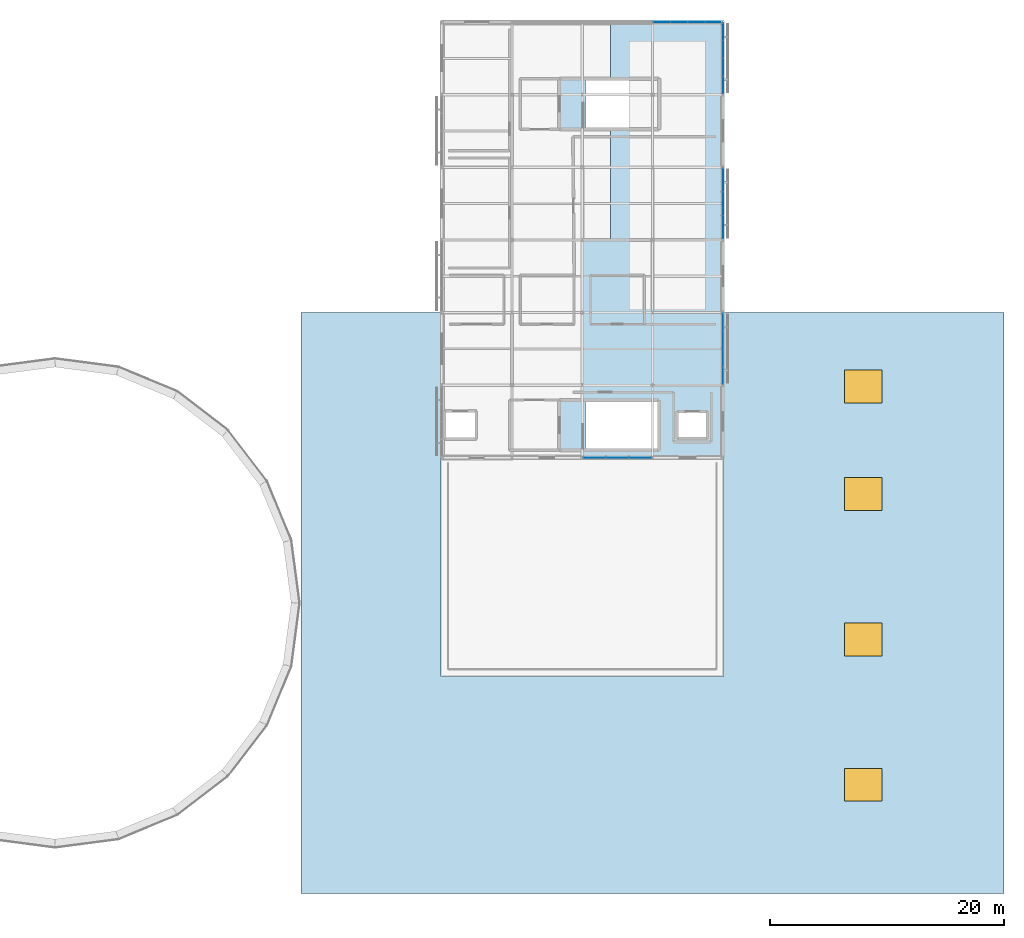
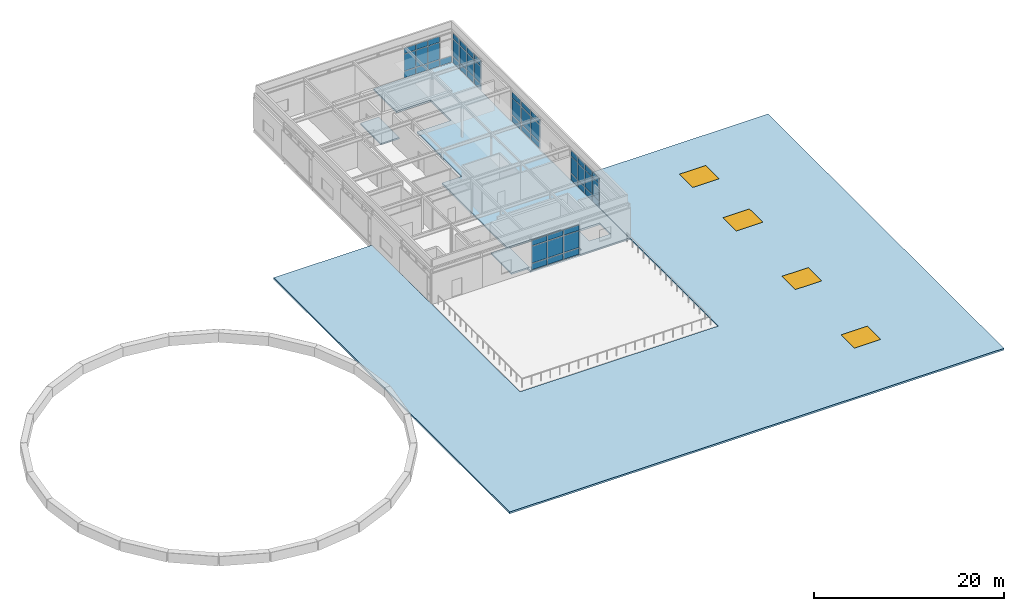
# One storey, part 12 of 16: 52 plates, 4 slabs, 4 windows, 4 openings, 5 elements without a shape of their own.
"""IFC4 building model written with IfcOpenShell, lengths in metres."""

from ifc_helpers import new_model, si_unit, direction, frame, origin, origin_2d, place, context, subcontext, project, spatial, polyline, rectangle, outline, extrude, material, layer, layer_set, type_object, element, fill, aggregate, save


model = new_model("IFC4")

# Units and contexts
model_context = context("Model", 3, precision=1e-05, world=origin(), true_north=direction((0.0, 1.0)))
body_context = subcontext(model_context, "Body", "Model", "MODEL_VIEW")
ifc_project = project(units=[si_unit("LENGTHUNIT", "METRE"), si_unit("AREAUNIT", "SQUARE_METRE"), si_unit("VOLUMEUNIT", "CUBIC_METRE"), si_unit("PLANEANGLEUNIT", "RADIAN"), si_unit("MASSUNIT", "GRAM", prefix="KILO")], contexts=[model_context])

# Site, building, storey
site_placement = place(None, origin())
site = spatial("IfcSite", under=ifc_project, at=site_placement, CompositionType="ELEMENT")
building_placement = place(site_placement, origin())
building = spatial("IfcBuilding", under=site, at=building_placement, Name="Mirzam Square Science Centre", CompositionType="ELEMENT")
storey_placement = place(building_placement, frame((0.0, 0.0, 25.199951171875)))
storey = spatial("IfcBuildingStorey", under=building, at=storey_placement, Name="L05", CompositionType="ELEMENT", Elevation=25.199951171875)

# Curtain wall, plates
ifc_material_1 = material(Name="Anodised Aluminium and Low-E Solar Glass", Category="aluminium")
ifc_layer_1 = layer(ifc_material_1, 0.159912109375)
ifc_layer_set_1 = layer_set([ifc_layer_1], Name="CW-COURT-B")
curtain_wall_type_1 = type_object("IfcCurtainWallType", Name="CW-COURT-B", PredefinedType="USERDEFINED", material=ifc_layer_set_1)
curtain_wall_1_placement = place(storey_placement, origin())
curtain_wall_1 = element("IfcCurtainWall", 1, at=curtain_wall_1_placement, inside=storey, type_object=curtain_wall_type_1, Name="L05 unitised curtain wall 167", ObjectType="UNITISED CURTAIN WALL", PredefinedType="USERDEFINED")
ifc_material_2 = material(Name="Ceramic-Fritted Courtyard Solar Glass", Category="glass")
ifc_layer_2 = layer(ifc_material_2, 0.02392578125)
ifc_layer_set_2 = layer_set([ifc_layer_2], Name="CWP-GLZ-24")
plate_type_1 = type_object("IfcPlateType", Name="CWP-GLZ-24", PredefinedType="CURTAIN_PANEL", material=ifc_layer_set_2)
plate_1_placement = place(storey_placement, frame((138.0, 81.43115234375, 0.06005859375), z_axis=(0.0, 0.0, 1.0), x_axis=(0.0, 1.0, 0.0)))
plate_1 = element("IfcPlate", 2, at=plate_1_placement, type_object=plate_type_1, Name="CW-04 panel 1.1", PredefinedType="CURTAIN_PANEL", context=body_context, shape_type="SweptSolid", body=[
    extrude(rectangle(XDim=1.4326171875, YDim=0.02392578125, at=origin_2d()), origin(), (0.0, 0.0, 1.0), 0.81005859375),
])
plate_2_placement = place(storey_placement, frame((138.0, 81.43115234375, 0.93017578125), z_axis=(0.0, 0.0, 1.0), x_axis=(0.0, 1.0, 0.0)))
plate_2 = element("IfcPlate", 3, at=plate_2_placement, type_object=plate_type_1, Name="CW-04 panel 1.2", PredefinedType="CURTAIN_PANEL", context=body_context, shape_type="SweptSolid", body=[
    extrude(rectangle(XDim=1.4326171875, YDim=0.02392578125, at=origin_2d()), origin(), (0.0, 0.0, 1.0), 2.159912109375),
])
plate_3_placement = place(storey_placement, frame((138.0, 81.43115234375, 3.150146484375), z_axis=(0.0, 0.0, 1.0), x_axis=(0.0, 1.0, 0.0)))
plate_3 = element("IfcPlate", 4, at=plate_3_placement, type_object=plate_type_1, Name="CW-04 panel 1.3", PredefinedType="CURTAIN_PANEL", context=body_context, shape_type="SweptSolid", body=[
    extrude(rectangle(XDim=1.4326171875, YDim=0.02392578125, at=origin_2d()), origin(), (0.0, 0.0, 1.0), 0.7099609375),
])
plate_4_placement = place(storey_placement, frame((138.0, 82.938720703125, 0.06005859375), z_axis=(0.0, 0.0, 1.0), x_axis=(0.0, 1.0, 0.0)))
plate_4 = element("IfcPlate", 5, at=plate_4_placement, type_object=plate_type_1, Name="CW-04 panel 2.1", PredefinedType="CURTAIN_PANEL", context=body_context, shape_type="SweptSolid", body=[
    extrude(rectangle(XDim=1.46240234375, YDim=0.02392578125, at=origin_2d()), origin(), (0.0, 0.0, 1.0), 0.81005859375),
])
plate_5_placement = place(storey_placement, frame((138.0, 82.938720703125, 0.93017578125), z_axis=(0.0, 0.0, 1.0), x_axis=(0.0, 1.0, 0.0)))
plate_5 = element("IfcPlate", 6, at=plate_5_placement, type_object=plate_type_1, Name="CW-04 panel 2.2", PredefinedType="CURTAIN_PANEL", context=body_context, shape_type="SweptSolid", body=[
    extrude(rectangle(XDim=1.46240234375, YDim=0.02392578125, at=origin_2d()), origin(), (0.0, 0.0, 1.0), 2.159912109375),
])
plate_6_placement = place(storey_placement, frame((138.0, 82.938720703125, 3.150146484375), z_axis=(0.0, 0.0, 1.0), x_axis=(0.0, 1.0, 0.0)))
plate_6 = element("IfcPlate", 7, at=plate_6_placement, type_object=plate_type_1, Name="CW-04 panel 2.3", PredefinedType="CURTAIN_PANEL", context=body_context, shape_type="SweptSolid", body=[
    extrude(rectangle(XDim=1.46240234375, YDim=0.02392578125, at=origin_2d()), origin(), (0.0, 0.0, 1.0), 0.7099609375),
])
plate_7_placement = place(storey_placement, frame((138.0, 84.461181640625, 0.06005859375), z_axis=(0.0, 0.0, 1.0), x_axis=(0.0, 1.0, 0.0)))
plate_7 = element("IfcPlate", 8, at=plate_7_placement, type_object=plate_type_1, Name="CW-04 panel 3.1", PredefinedType="CURTAIN_PANEL", context=body_context, shape_type="SweptSolid", body=[
    extrude(rectangle(XDim=1.46240234375, YDim=0.02392578125, at=origin_2d()), origin(), (0.0, 0.0, 1.0), 0.81005859375),
])
plate_8_placement = place(storey_placement, frame((138.0, 84.461181640625, 0.93017578125), z_axis=(0.0, 0.0, 1.0), x_axis=(0.0, 1.0, 0.0)))
plate_8 = element("IfcPlate", 9, at=plate_8_placement, type_object=plate_type_1, Name="CW-04 panel 3.2", PredefinedType="CURTAIN_PANEL", context=body_context, shape_type="SweptSolid", body=[
    extrude(rectangle(XDim=1.46240234375, YDim=0.02392578125, at=origin_2d()), origin(), (0.0, 0.0, 1.0), 2.159912109375),
])
plate_9_placement = place(storey_placement, frame((138.0, 84.461181640625, 3.150146484375), z_axis=(0.0, 0.0, 1.0), x_axis=(0.0, 1.0, 0.0)))
plate_9 = element("IfcPlate", 10, at=plate_9_placement, type_object=plate_type_1, Name="CW-04 panel 3.3", PredefinedType="CURTAIN_PANEL", context=body_context, shape_type="SweptSolid", body=[
    extrude(rectangle(XDim=1.46240234375, YDim=0.02392578125, at=origin_2d()), origin(), (0.0, 0.0, 1.0), 0.7099609375),
])
plate_10_placement = place(storey_placement, frame((138.0, 85.96875, 0.06005859375), z_axis=(0.0, 0.0, 1.0), x_axis=(0.0, 1.0, 0.0)))
plate_10 = element("IfcPlate", 11, at=plate_10_placement, type_object=plate_type_1, Name="CW-04 panel 4.1", PredefinedType="CURTAIN_PANEL", context=body_context, shape_type="SweptSolid", body=[
    extrude(rectangle(XDim=1.4326171875, YDim=0.02392578125, at=origin_2d()), origin(), (0.0, 0.0, 1.0), 0.81005859375),
])
plate_11_placement = place(storey_placement, frame((138.0, 85.96875, 0.93017578125), z_axis=(0.0, 0.0, 1.0), x_axis=(0.0, 1.0, 0.0)))
plate_11 = element("IfcPlate", 12, at=plate_11_placement, type_object=plate_type_1, Name="CW-04 panel 4.2", PredefinedType="CURTAIN_PANEL", context=body_context, shape_type="SweptSolid", body=[
    extrude(rectangle(XDim=1.4326171875, YDim=0.02392578125, at=origin_2d()), origin(), (0.0, 0.0, 1.0), 2.159912109375),
])
plate_12_placement = place(storey_placement, frame((138.0, 85.96875, 3.150146484375), z_axis=(0.0, 0.0, 1.0), x_axis=(0.0, 1.0, 0.0)))
plate_12 = element("IfcPlate", 13, at=plate_12_placement, type_object=plate_type_1, Name="CW-04 panel 4.3", PredefinedType="CURTAIN_PANEL", context=body_context, shape_type="SweptSolid", body=[
    extrude(rectangle(XDim=1.4326171875, YDim=0.02392578125, at=origin_2d()), origin(), (0.0, 0.0, 1.0), 0.7099609375),
])
aggregate(curtain_wall_1, [plate_1, plate_2, plate_3, plate_4, plate_5, plate_6, plate_7, plate_8, plate_9, plate_10, plate_11, plate_12])

curtain_wall_2_placement = place(storey_placement, origin())
curtain_wall_2 = element("IfcCurtainWall", 14, at=curtain_wall_2_placement, inside=storey, type_object=curtain_wall_type_1, Name="L05 unitised curtain wall 170", ObjectType="UNITISED CURTAIN WALL", PredefinedType="USERDEFINED")
plate_13_placement = place(storey_placement, frame((137.19384765625, 111.60009765625, 0.06005859375), z_axis=(0.0, 0.0, 1.0), x_axis=(-1.0, 0.0, 0.0)))
plate_13 = element("IfcPlate", 15, at=plate_13_placement, type_object=plate_type_1, Name="CW-04 panel 1.1", PredefinedType="CURTAIN_PANEL", context=body_context, shape_type="SweptSolid", body=[
    extrude(rectangle(XDim=1.382568359375, YDim=0.02392578125, at=origin_2d()), origin(), (0.0, 0.0, 1.0), 0.81005859375),
])
plate_14_placement = place(storey_placement, frame((135.736328125, 111.60009765625, 0.06005859375), z_axis=(0.0, 0.0, 1.0), x_axis=(-1.0, 0.0, 0.0)))
plate_14 = element("IfcPlate", 16, at=plate_14_placement, type_object=plate_type_1, Name="CW-04 panel 2.1", PredefinedType="CURTAIN_PANEL", context=body_context, shape_type="SweptSolid", body=[
    extrude(rectangle(XDim=1.41259765625, YDim=0.02392578125, at=origin_2d()), origin(), (0.0, 0.0, 1.0), 0.81005859375),
])
plate_15_placement = place(storey_placement, frame((135.736328125, 111.60009765625, 0.93017578125), z_axis=(0.0, 0.0, 1.0), x_axis=(-1.0, 0.0, 0.0)))
plate_15 = element("IfcPlate", 17, at=plate_15_placement, type_object=plate_type_1, Name="CW-04 panel 2.2", PredefinedType="CURTAIN_PANEL", context=body_context, shape_type="SweptSolid", body=[
    extrude(rectangle(XDim=1.41259765625, YDim=0.02392578125, at=origin_2d()), origin(), (0.0, 0.0, 1.0), 2.159912109375),
])
plate_16_placement = place(storey_placement, frame((135.736328125, 111.60009765625, 3.150146484375), z_axis=(0.0, 0.0, 1.0), x_axis=(-1.0, 0.0, 0.0)))
plate_16 = element("IfcPlate", 18, at=plate_16_placement, type_object=plate_type_1, Name="CW-04 panel 2.3", PredefinedType="CURTAIN_PANEL", context=body_context, shape_type="SweptSolid", body=[
    extrude(rectangle(XDim=1.41259765625, YDim=0.02392578125, at=origin_2d()), origin(), (0.0, 0.0, 1.0), 0.7099609375),
])
plate_17_placement = place(storey_placement, frame((134.263671875, 111.60009765625, 0.06005859375), z_axis=(0.0, 0.0, 1.0), x_axis=(-1.0, 0.0, 0.0)))
plate_17 = element("IfcPlate", 19, at=plate_17_placement, type_object=plate_type_1, Name="CW-04 panel 3.1", PredefinedType="CURTAIN_PANEL", context=body_context, shape_type="SweptSolid", body=[
    extrude(rectangle(XDim=1.41259765625, YDim=0.02392578125, at=origin_2d()), origin(), (0.0, 0.0, 1.0), 0.81005859375),
])
plate_18_placement = place(storey_placement, frame((134.263671875, 111.60009765625, 0.93017578125), z_axis=(0.0, 0.0, 1.0), x_axis=(-1.0, 0.0, 0.0)))
plate_18 = element("IfcPlate", 20, at=plate_18_placement, type_object=plate_type_1, Name="CW-04 panel 3.2", PredefinedType="CURTAIN_PANEL", context=body_context, shape_type="SweptSolid", body=[
    extrude(rectangle(XDim=1.41259765625, YDim=0.02392578125, at=origin_2d()), origin(), (0.0, 0.0, 1.0), 2.159912109375),
])
plate_19_placement = place(storey_placement, frame((134.263671875, 111.60009765625, 3.150146484375), z_axis=(0.0, 0.0, 1.0), x_axis=(-1.0, 0.0, 0.0)))
plate_19 = element("IfcPlate", 21, at=plate_19_placement, type_object=plate_type_1, Name="CW-04 panel 3.3", PredefinedType="CURTAIN_PANEL", context=body_context, shape_type="SweptSolid", body=[
    extrude(rectangle(XDim=1.41259765625, YDim=0.02392578125, at=origin_2d()), origin(), (0.0, 0.0, 1.0), 0.7099609375),
])
plate_20_placement = place(storey_placement, frame((132.80615234375, 111.60009765625, 0.06005859375), z_axis=(0.0, 0.0, 1.0), x_axis=(-1.0, 0.0, 0.0)))
plate_20 = element("IfcPlate", 22, at=plate_20_placement, type_object=plate_type_1, Name="CW-04 panel 4.1", PredefinedType="CURTAIN_PANEL", context=body_context, shape_type="SweptSolid", body=[
    extrude(rectangle(XDim=1.382568359375, YDim=0.02392578125, at=origin_2d()), origin(), (0.0, 0.0, 1.0), 0.81005859375),
])
plate_21_placement = place(storey_placement, frame((132.80615234375, 111.60009765625, 0.93017578125), z_axis=(0.0, 0.0, 1.0), x_axis=(-1.0, 0.0, 0.0)))
plate_21 = element("IfcPlate", 23, at=plate_21_placement, type_object=plate_type_1, Name="CW-04 panel 4.2", PredefinedType="CURTAIN_PANEL", context=body_context, shape_type="SweptSolid", body=[
    extrude(rectangle(XDim=1.382568359375, YDim=0.02392578125, at=origin_2d()), origin(), (0.0, 0.0, 1.0), 2.159912109375),
])
plate_22_placement = place(storey_placement, frame((132.80615234375, 111.60009765625, 3.150146484375), z_axis=(0.0, 0.0, 1.0), x_axis=(-1.0, 0.0, 0.0)))
plate_22 = element("IfcPlate", 24, at=plate_22_placement, type_object=plate_type_1, Name="CW-04 panel 4.3", PredefinedType="CURTAIN_PANEL", context=body_context, shape_type="SweptSolid", body=[
    extrude(rectangle(XDim=1.382568359375, YDim=0.02392578125, at=origin_2d()), origin(), (0.0, 0.0, 1.0), 0.7099609375),
])
aggregate(curtain_wall_2, [plate_13, plate_14, plate_15, plate_16, plate_17, plate_18, plate_19, plate_20, plate_21, plate_22])

ifc_layer_3 = layer(ifc_material_1, 0.239990234375)
ifc_layer_set_3 = layer_set([ifc_layer_3], Name="CW-EAST-B")
curtain_wall_type_2 = type_object("IfcCurtainWallType", Name="CW-EAST-B", PredefinedType="USERDEFINED", material=ifc_layer_set_3)
curtain_wall_3_placement = place(storey_placement, origin())
curtain_wall_3 = element("IfcCurtainWall", 25, at=curtain_wall_3_placement, inside=storey, type_object=curtain_wall_type_2, Name="L05 unitised curtain wall 166", ObjectType="UNITISED CURTAIN WALL", PredefinedType="USERDEFINED")
ifc_material_3 = material(Name="Double-Silver Low-E Insulated Solar Glass", Category="glass")
ifc_layer_4 = layer(ifc_material_3, 0.028076171875)
ifc_layer_set_4 = layer_set([ifc_layer_4], Name="CWP-GLZ-28")
plate_type_2 = type_object("IfcPlateType", Name="CWP-GLZ-28", PredefinedType="CURTAIN_PANEL", material=ifc_layer_set_4)
plate_23_placement = place(storey_placement, frame((127.055419921875, 74.39990234375, 0.074951171875), z_axis=(0.0, 0.0, 1.0), x_axis=(1.0, 0.0, 0.0)))
plate_23 = element("IfcPlate", 26, at=plate_23_placement, type_object=plate_type_2, Name="CW-06 panel 1.1", PredefinedType="CURTAIN_PANEL", context=body_context, shape_type="SweptSolid", body=[
    extrude(rectangle(XDim=1.850830078125, YDim=0.028076171875, at=origin_2d()), origin(), (0.0, 0.0, 1.0), 0.78759765625),
])
plate_24_placement = place(storey_placement, frame((127.055419921875, 74.39990234375, 0.9375), z_axis=(0.0, 0.0, 1.0), x_axis=(1.0, 0.0, 0.0)))
plate_24 = element("IfcPlate", 27, at=plate_24_placement, type_object=plate_type_2, Name="CW-06 panel 1.2", PredefinedType="CURTAIN_PANEL", context=body_context, shape_type="SweptSolid", body=[
    extrude(rectangle(XDim=1.850830078125, YDim=0.028076171875, at=origin_2d()), origin(), (0.0, 0.0, 1.0), 2.14501953125),
])
plate_25_placement = place(storey_placement, frame((127.055419921875, 74.39990234375, 3.157470703125), z_axis=(0.0, 0.0, 1.0), x_axis=(1.0, 0.0, 0.0)))
plate_25 = element("IfcPlate", 28, at=plate_25_placement, type_object=plate_type_2, Name="CW-06 panel 1.3", PredefinedType="CURTAIN_PANEL", context=body_context, shape_type="SweptSolid", body=[
    extrude(rectangle(XDim=1.850830078125, YDim=0.028076171875, at=origin_2d()), origin(), (0.0, 0.0, 1.0), 0.6875),
])
plate_26_placement = place(storey_placement, frame((129.0, 74.39990234375, 0.074951171875), z_axis=(0.0, 0.0, 1.0), x_axis=(1.0, 0.0, 0.0)))
plate_26 = element("IfcPlate", 29, at=plate_26_placement, type_object=plate_type_2, Name="CW-06 panel 2.1", PredefinedType="CURTAIN_PANEL", context=body_context, shape_type="SweptSolid", body=[
    extrude(rectangle(XDim=1.888427734375, YDim=0.028076171875, at=origin_2d()), origin(), (0.0, 0.0, 1.0), 0.78759765625),
])
plate_27_placement = place(storey_placement, frame((129.0, 74.39990234375, 0.9375), z_axis=(0.0, 0.0, 1.0), x_axis=(1.0, 0.0, 0.0)))
plate_27 = element("IfcPlate", 30, at=plate_27_placement, type_object=plate_type_2, Name="CW-06 panel 2.2", PredefinedType="CURTAIN_PANEL", context=body_context, shape_type="SweptSolid", body=[
    extrude(rectangle(XDim=1.888427734375, YDim=0.028076171875, at=origin_2d()), origin(), (0.0, 0.0, 1.0), 2.14501953125),
])
plate_28_placement = place(storey_placement, frame((129.0, 74.39990234375, 3.157470703125), z_axis=(0.0, 0.0, 1.0), x_axis=(1.0, 0.0, 0.0)))
plate_28 = element("IfcPlate", 31, at=plate_28_placement, type_object=plate_type_2, Name="CW-06 panel 2.3", PredefinedType="CURTAIN_PANEL", context=body_context, shape_type="SweptSolid", body=[
    extrude(rectangle(XDim=1.888427734375, YDim=0.028076171875, at=origin_2d()), origin(), (0.0, 0.0, 1.0), 0.6875),
])
plate_29_placement = place(storey_placement, frame((130.944580078125, 74.39990234375, 0.074951171875), z_axis=(0.0, 0.0, 1.0), x_axis=(1.0, 0.0, 0.0)))
plate_29 = element("IfcPlate", 32, at=plate_29_placement, type_object=plate_type_2, Name="CW-06 panel 3.1", PredefinedType="CURTAIN_PANEL", context=body_context, shape_type="SweptSolid", body=[
    extrude(rectangle(XDim=1.850830078125, YDim=0.028076171875, at=origin_2d()), origin(), (0.0, 0.0, 1.0), 0.78759765625),
])
plate_30_placement = place(storey_placement, frame((130.944580078125, 74.39990234375, 0.9375), z_axis=(0.0, 0.0, 1.0), x_axis=(1.0, 0.0, 0.0)))
plate_30 = element("IfcPlate", 33, at=plate_30_placement, type_object=plate_type_2, Name="CW-06 panel 3.2", PredefinedType="CURTAIN_PANEL", context=body_context, shape_type="SweptSolid", body=[
    extrude(rectangle(XDim=1.850830078125, YDim=0.028076171875, at=origin_2d()), origin(), (0.0, 0.0, 1.0), 2.14501953125),
])
plate_31_placement = place(storey_placement, frame((130.944580078125, 74.39990234375, 3.157470703125), z_axis=(0.0, 0.0, 1.0), x_axis=(1.0, 0.0, 0.0)))
plate_31 = element("IfcPlate", 34, at=plate_31_placement, type_object=plate_type_2, Name="CW-06 panel 3.3", PredefinedType="CURTAIN_PANEL", context=body_context, shape_type="SweptSolid", body=[
    extrude(rectangle(XDim=1.850830078125, YDim=0.028076171875, at=origin_2d()), origin(), (0.0, 0.0, 1.0), 0.6875),
])
aggregate(curtain_wall_3, [plate_23, plate_24, plate_25, plate_26, plate_27, plate_28, plate_29, plate_30, plate_31])

curtain_wall_4_placement = place(storey_placement, origin())
curtain_wall_4 = element("IfcCurtainWall", 35, at=curtain_wall_4_placement, inside=storey, type_object=curtain_wall_type_2, Name="L05 unitised curtain wall 168", ObjectType="UNITISED CURTAIN WALL", PredefinedType="USERDEFINED")
plate_32_placement = place(storey_placement, frame((138.0, 94.0888671875, 0.074951171875), z_axis=(0.0, 0.0, 1.0), x_axis=(0.0, 1.0, 0.0)))
plate_32 = element("IfcPlate", 36, at=plate_32_placement, type_object=plate_type_2, Name="CW-06 panel 1.1", PredefinedType="CURTAIN_PANEL", context=body_context, shape_type="SweptSolid", body=[
    extrude(rectangle(XDim=1.91748046875, YDim=0.028076171875, at=origin_2d()), origin(), (0.0, 0.0, 1.0), 0.78759765625),
])
plate_33_placement = place(storey_placement, frame((138.0, 94.0888671875, 0.9375), z_axis=(0.0, 0.0, 1.0), x_axis=(0.0, 1.0, 0.0)))
plate_33 = element("IfcPlate", 37, at=plate_33_placement, type_object=plate_type_2, Name="CW-06 panel 1.2", PredefinedType="CURTAIN_PANEL", context=body_context, shape_type="SweptSolid", body=[
    extrude(rectangle(XDim=1.91748046875, YDim=0.028076171875, at=origin_2d()), origin(), (0.0, 0.0, 1.0), 2.14501953125),
])
plate_34_placement = place(storey_placement, frame((138.0, 94.0888671875, 3.157470703125), z_axis=(0.0, 0.0, 1.0), x_axis=(0.0, 1.0, 0.0)))
plate_34 = element("IfcPlate", 38, at=plate_34_placement, type_object=plate_type_2, Name="CW-06 panel 1.3", PredefinedType="CURTAIN_PANEL", context=body_context, shape_type="SweptSolid", body=[
    extrude(rectangle(XDim=1.91748046875, YDim=0.028076171875, at=origin_2d()), origin(), (0.0, 0.0, 1.0), 0.6875),
])
plate_35_placement = place(storey_placement, frame((138.0, 96.10009765625, 0.074951171875), z_axis=(0.0, 0.0, 1.0), x_axis=(0.0, 1.0, 0.0)))
plate_35 = element("IfcPlate", 39, at=plate_35_placement, type_object=plate_type_2, Name="CW-06 panel 2.1", PredefinedType="CURTAIN_PANEL", context=body_context, shape_type="SweptSolid", body=[
    extrude(rectangle(XDim=1.955078125, YDim=0.028076171875, at=origin_2d()), origin(), (0.0, 0.0, 1.0), 0.78759765625),
])
plate_36_placement = place(storey_placement, frame((138.0, 96.10009765625, 0.9375), z_axis=(0.0, 0.0, 1.0), x_axis=(0.0, 1.0, 0.0)))
plate_36 = element("IfcPlate", 40, at=plate_36_placement, type_object=plate_type_2, Name="CW-06 panel 2.2", PredefinedType="CURTAIN_PANEL", context=body_context, shape_type="SweptSolid", body=[
    extrude(rectangle(XDim=1.955078125, YDim=0.028076171875, at=origin_2d()), origin(), (0.0, 0.0, 1.0), 2.14501953125),
])
plate_37_placement = place(storey_placement, frame((138.0, 96.10009765625, 3.157470703125), z_axis=(0.0, 0.0, 1.0), x_axis=(0.0, 1.0, 0.0)))
plate_37 = element("IfcPlate", 41, at=plate_37_placement, type_object=plate_type_2, Name="CW-06 panel 2.3", PredefinedType="CURTAIN_PANEL", context=body_context, shape_type="SweptSolid", body=[
    extrude(rectangle(XDim=1.955078125, YDim=0.028076171875, at=origin_2d()), origin(), (0.0, 0.0, 1.0), 0.6875),
])
plate_38_placement = place(storey_placement, frame((138.0, 98.111328125, 0.074951171875), z_axis=(0.0, 0.0, 1.0), x_axis=(0.0, 1.0, 0.0)))
plate_38 = element("IfcPlate", 42, at=plate_38_placement, type_object=plate_type_2, Name="CW-06 panel 3.1", PredefinedType="CURTAIN_PANEL", context=body_context, shape_type="SweptSolid", body=[
    extrude(rectangle(XDim=1.91748046875, YDim=0.028076171875, at=origin_2d()), origin(), (0.0, 0.0, 1.0), 0.78759765625),
])
plate_39_placement = place(storey_placement, frame((138.0, 98.111328125, 0.9375), z_axis=(0.0, 0.0, 1.0), x_axis=(0.0, 1.0, 0.0)))
plate_39 = element("IfcPlate", 43, at=plate_39_placement, type_object=plate_type_2, Name="CW-06 panel 3.2", PredefinedType="CURTAIN_PANEL", context=body_context, shape_type="SweptSolid", body=[
    extrude(rectangle(XDim=1.91748046875, YDim=0.028076171875, at=origin_2d()), origin(), (0.0, 0.0, 1.0), 2.14501953125),
])
plate_40_placement = place(storey_placement, frame((138.0, 98.111328125, 3.157470703125), z_axis=(0.0, 0.0, 1.0), x_axis=(0.0, 1.0, 0.0)))
plate_40 = element("IfcPlate", 44, at=plate_40_placement, type_object=plate_type_2, Name="CW-06 panel 3.3", PredefinedType="CURTAIN_PANEL", context=body_context, shape_type="SweptSolid", body=[
    extrude(rectangle(XDim=1.91748046875, YDim=0.028076171875, at=origin_2d()), origin(), (0.0, 0.0, 1.0), 0.6875),
])
aggregate(curtain_wall_4, [plate_32, plate_33, plate_34, plate_35, plate_36, plate_37, plate_38, plate_39, plate_40])

ifc_layer_5 = layer(ifc_material_1, 0.179931640625)
ifc_layer_set_5 = layer_set([ifc_layer_5], Name="CW-LINK-A")
curtain_wall_type_3 = type_object("IfcCurtainWallType", Name="CW-LINK-A", PredefinedType="USERDEFINED", material=ifc_layer_set_5)
curtain_wall_5_placement = place(storey_placement, origin())
curtain_wall_5 = element("IfcCurtainWall", 45, at=curtain_wall_5_placement, inside=storey, type_object=curtain_wall_type_3, Name="L05 unitised curtain wall 169", ObjectType="UNITISED CURTAIN WALL", PredefinedType="USERDEFINED")
ifc_material_4 = material(Name="Laminated Low-Iron Observatory Solar Glass", Category="glass")
ifc_layer_6 = layer(ifc_material_4, 0.035888671875)
ifc_layer_set_6 = layer_set([ifc_layer_6], Name="CWP-GLZ-36")
plate_type_3 = type_object("IfcPlateType", Name="CWP-GLZ-36", PredefinedType="CURTAIN_PANEL", material=ifc_layer_set_6)
plate_41_placement = place(storey_placement, frame((138.0, 106.232421875, 0.06494140625), z_axis=(0.0, 0.0, 1.0), x_axis=(0.0, 1.0, 0.0)))
plate_41 = element("IfcPlate", 46, at=plate_41_placement, type_object=plate_type_3, Name="CW-08 panel 1.1", PredefinedType="CURTAIN_PANEL", context=body_context, shape_type="SweptSolid", body=[
    extrude(rectangle(XDim=1.425048828125, YDim=0.035888671875, at=origin_2d()), origin(), (0.0, 0.0, 1.0), 0.802490234375),
])
plate_42_placement = place(storey_placement, frame((138.0, 106.232421875, 0.9326171875), z_axis=(0.0, 0.0, 1.0), x_axis=(0.0, 1.0, 0.0)))
plate_42 = element("IfcPlate", 47, at=plate_42_placement, type_object=plate_type_3, Name="CW-08 panel 1.2", PredefinedType="CURTAIN_PANEL", context=body_context, shape_type="SweptSolid", body=[
    extrude(rectangle(XDim=1.425048828125, YDim=0.035888671875, at=origin_2d()), origin(), (0.0, 0.0, 1.0), 2.155029296875),
])
plate_43_placement = place(storey_placement, frame((138.0, 106.232421875, 3.15283203125), z_axis=(0.0, 0.0, 1.0), x_axis=(0.0, 1.0, 0.0)))
plate_43 = element("IfcPlate", 48, at=plate_43_placement, type_object=plate_type_3, Name="CW-08 panel 1.3", PredefinedType="CURTAIN_PANEL", context=body_context, shape_type="SweptSolid", body=[
    extrude(rectangle(XDim=1.425048828125, YDim=0.035888671875, at=origin_2d()), origin(), (0.0, 0.0, 1.0), 0.702392578125),
])
plate_44_placement = place(storey_placement, frame((138.0, 107.73876953125, 0.06494140625), z_axis=(0.0, 0.0, 1.0), x_axis=(0.0, 1.0, 0.0)))
plate_44 = element("IfcPlate", 49, at=plate_44_placement, type_object=plate_type_3, Name="CW-08 panel 2.1", PredefinedType="CURTAIN_PANEL", context=body_context, shape_type="SweptSolid", body=[
    extrude(rectangle(XDim=1.45751953125, YDim=0.035888671875, at=origin_2d()), origin(), (0.0, 0.0, 1.0), 0.802490234375),
])
plate_45_placement = place(storey_placement, frame((138.0, 107.73876953125, 0.9326171875), z_axis=(0.0, 0.0, 1.0), x_axis=(0.0, 1.0, 0.0)))
plate_45 = element("IfcPlate", 50, at=plate_45_placement, type_object=plate_type_3, Name="CW-08 panel 2.2", PredefinedType="CURTAIN_PANEL", context=body_context, shape_type="SweptSolid", body=[
    extrude(rectangle(XDim=1.45751953125, YDim=0.035888671875, at=origin_2d()), origin(), (0.0, 0.0, 1.0), 2.155029296875),
])
plate_46_placement = place(storey_placement, frame((138.0, 107.73876953125, 3.15283203125), z_axis=(0.0, 0.0, 1.0), x_axis=(0.0, 1.0, 0.0)))
plate_46 = element("IfcPlate", 51, at=plate_46_placement, type_object=plate_type_3, Name="CW-08 panel 2.3", PredefinedType="CURTAIN_PANEL", context=body_context, shape_type="SweptSolid", body=[
    extrude(rectangle(XDim=1.45751953125, YDim=0.035888671875, at=origin_2d()), origin(), (0.0, 0.0, 1.0), 0.702392578125),
])
plate_47_placement = place(storey_placement, frame((138.0, 109.26123046875, 0.06494140625), z_axis=(0.0, 0.0, 1.0), x_axis=(0.0, 1.0, 0.0)))
plate_47 = element("IfcPlate", 52, at=plate_47_placement, type_object=plate_type_3, Name="CW-08 panel 3.1", PredefinedType="CURTAIN_PANEL", context=body_context, shape_type="SweptSolid", body=[
    extrude(rectangle(XDim=1.45751953125, YDim=0.035888671875, at=origin_2d()), origin(), (0.0, 0.0, 1.0), 0.802490234375),
])
plate_48_placement = place(storey_placement, frame((138.0, 109.26123046875, 0.9326171875), z_axis=(0.0, 0.0, 1.0), x_axis=(0.0, 1.0, 0.0)))
plate_48 = element("IfcPlate", 53, at=plate_48_placement, type_object=plate_type_3, Name="CW-08 panel 3.2", PredefinedType="CURTAIN_PANEL", context=body_context, shape_type="SweptSolid", body=[
    extrude(rectangle(XDim=1.45751953125, YDim=0.035888671875, at=origin_2d()), origin(), (0.0, 0.0, 1.0), 2.155029296875),
])
plate_49_placement = place(storey_placement, frame((138.0, 109.26123046875, 3.15283203125), z_axis=(0.0, 0.0, 1.0), x_axis=(0.0, 1.0, 0.0)))
plate_49 = element("IfcPlate", 54, at=plate_49_placement, type_object=plate_type_3, Name="CW-08 panel 3.3", PredefinedType="CURTAIN_PANEL", context=body_context, shape_type="SweptSolid", body=[
    extrude(rectangle(XDim=1.45751953125, YDim=0.035888671875, at=origin_2d()), origin(), (0.0, 0.0, 1.0), 0.702392578125),
])
plate_50_placement = place(storey_placement, frame((138.0, 110.767578125, 0.06494140625), z_axis=(0.0, 0.0, 1.0), x_axis=(0.0, 1.0, 0.0)))
plate_50 = element("IfcPlate", 55, at=plate_50_placement, type_object=plate_type_3, Name="CW-08 panel 4.1", PredefinedType="CURTAIN_PANEL", context=body_context, shape_type="SweptSolid", body=[
    extrude(rectangle(XDim=1.425048828125, YDim=0.035888671875, at=origin_2d()), origin(), (0.0, 0.0, 1.0), 0.802490234375),
])
plate_51_placement = place(storey_placement, frame((138.0, 110.767578125, 0.9326171875), z_axis=(0.0, 0.0, 1.0), x_axis=(0.0, 1.0, 0.0)))
plate_51 = element("IfcPlate", 56, at=plate_51_placement, type_object=plate_type_3, Name="CW-08 panel 4.2", PredefinedType="CURTAIN_PANEL", context=body_context, shape_type="SweptSolid", body=[
    extrude(rectangle(XDim=1.425048828125, YDim=0.035888671875, at=origin_2d()), origin(), (0.0, 0.0, 1.0), 2.155029296875),
])
plate_52_placement = place(storey_placement, frame((138.0, 110.767578125, 3.15283203125), z_axis=(0.0, 0.0, 1.0), x_axis=(0.0, 1.0, 0.0)))
plate_52 = element("IfcPlate", 57, at=plate_52_placement, type_object=plate_type_3, Name="CW-08 panel 4.3", PredefinedType="CURTAIN_PANEL", context=body_context, shape_type="SweptSolid", body=[
    extrude(rectangle(XDim=1.425048828125, YDim=0.035888671875, at=origin_2d()), origin(), (0.0, 0.0, 1.0), 0.702392578125),
])
aggregate(curtain_wall_5, [plate_41, plate_42, plate_43, plate_44, plate_45, plate_46, plate_47, plate_48, plate_49, plate_50, plate_51, plate_52])

# Slabs
ifc_material_5 = material(Name="Concrete C40/50", Category="concrete")
ifc_layer_7 = layer(ifc_material_5, 0.199951171875)
ifc_layer_set_7 = layer_set([ifc_layer_7], Name="SL-LANDING-200")
slab_type_1 = type_object("IfcSlabType", Name="SL-LANDING-200", PredefinedType="LANDING", material=ifc_layer_set_7)
slab_1_placement = place(storey_placement, frame((0.0, 0.0, -0.199951171875)))
element("IfcSlab", 58, at=slab_1_placement, inside=storey, type_object=slab_type_1, Name="L05 CORE-4 floor landing", PredefinedType="LANDING", context=body_context, shape_type="SweptSolid", body=[
    extrude(outline(polyline([(126.260009765625, 75.044921875), (124.044921875, 75.044921875), (124.044921875, 79.324951171875), (126.260009765625, 79.324951171875), (126.260009765625, 75.044921875)])), origin(), (0.0, 0.0, 1.0), 0.199951171875),
])
slab_2_placement = place(storey_placement, frame((0.0, 0.0, -0.199951171875)))
element("IfcSlab", 59, at=slab_2_placement, inside=storey, type_object=slab_type_1, Name="L05 CORE-7 floor landing", PredefinedType="LANDING", context=body_context, shape_type="SweptSolid", body=[
    extrude(outline(polyline([(126.280029296875, 102.445068359375), (124.044921875, 102.445068359375), (124.044921875, 106.764892578125), (126.280029296875, 106.764892578125), (126.280029296875, 102.445068359375)])), origin(), (0.0, 0.0, 1.0), 0.199951171875),
])
ifc_layer_8 = layer(ifc_material_5, 0.239990234375)
ifc_layer_set_8 = layer_set([ifc_layer_8], Name="SL-OBS-240")
slab_type_2 = type_object("IfcSlabType", Name="SL-OBS-240", PredefinedType="FLOOR", material=ifc_layer_set_8)
slab_3_placement = place(storey_placement, frame((0.0, 0.0, -0.239990234375)))
element("IfcSlab", 60, at=slab_3_placement, inside=storey, type_object=slab_type_2, Name="L05 east 2 slab", PredefinedType="FLOOR", context=body_context, shape_type="SweptSolid", body=[
    extrude(outline(polyline([(138.0, 111.60009765625), (138.0, 74.39990234375), (126.0048828125, 74.39990234375), (126.0048828125, 75.0400390625), (132.56005859375, 75.0400390625), (132.56005859375, 79.330078125), (126.0048828125, 79.330078125), (126.0048828125, 92.9951171875), (128.405029296875, 92.9951171875), (128.405029296875, 102.43994140625), (132.56005859375, 102.43994140625), (132.56005859375, 106.77001953125), (128.405029296875, 106.77001953125), (128.405029296875, 111.60009765625), (138.0, 111.60009765625)]), holes=[polyline([(134.10009765625, 76.050048828125), (136.699951171875, 76.050048828125), (136.699951171875, 78.35009765625), (134.10009765625, 78.35009765625), (134.10009765625, 76.050048828125)])]), origin(), (0.0, 0.0, 1.0), 0.239990234375),
])

# Slab, openings, windows
ifc_material_6 = material(Name="Insulated Concrete Parasol Deck C40/50", Category="concrete")
ifc_layer_9 = layer(ifc_material_6, 0.22998046875)
ifc_layer_set_9 = layer_set([ifc_layer_9], Name="SL-PARASOL-ROOF-230")
slab_type_3 = type_object("IfcSlabType", Name="SL-PARASOL-ROOF-230", PredefinedType="ROOF", material=ifc_layer_set_9)
slab_4_placement = place(storey_placement, frame((0.0, 0.0, -0.22998046875)))
slab_4 = element("IfcSlab", 61, at=slab_4_placement, inside=storey, type_object=slab_type_3, Name="East teaching and STEM wing parasol roof plate 1", PredefinedType="ROOF", context=body_context, shape_type="SweptSolid", body=[
    extrude(outline(polyline([(162.0, 37.199951171875), (102.0, 37.199951171875), (102.0, 86.800048828125), (113.949951171875, 86.800048828125), (113.949951171875, 55.75), (138.050048828125, 55.75), (138.050048828125, 86.800048828125), (162.0, 86.800048828125), (162.0, 37.199951171875)])), origin(), (0.0, 0.0, 1.0), 0.22998046875),
])
opening_1_placement = place(slab_4_placement, frame((150.0, 46.5, -0.010009765625)))
opening_1 = element("IfcOpeningElement", 62, at=opening_1_placement, cuts=slab_4, Name="Opening SK-03", PredefinedType="OPENING", context=body_context, shape_type="SweptSolid", body=[
    extrude(rectangle(XDim=3.199951171875, YDim=2.800048828125, at=origin_2d()), origin(), (0.0, 0.0, 1.0), 0.25),
])
opening_2_placement = place(slab_4_placement, frame((150.0, 58.89990234375, -0.010009765625)))
opening_2 = element("IfcOpeningElement", 63, at=opening_2_placement, cuts=slab_4, Name="Opening SK-03", PredefinedType="OPENING", context=body_context, shape_type="SweptSolid", body=[
    extrude(rectangle(XDim=3.199951171875, YDim=2.800048828125, at=origin_2d()), origin(), (0.0, 0.0, 1.0), 0.25),
])
opening_3_placement = place(slab_4_placement, frame((150.0, 71.300048828125, -0.010009765625)))
opening_3 = element("IfcOpeningElement", 64, at=opening_3_placement, cuts=slab_4, Name="Opening SK-03", PredefinedType="OPENING", context=body_context, shape_type="SweptSolid", body=[
    extrude(rectangle(XDim=3.199951171875, YDim=2.800048828125, at=origin_2d()), origin(), (0.0, 0.0, 1.0), 0.25),
])
opening_4_placement = place(slab_4_placement, frame((150.0, 80.5, -0.010009765625)))
opening_4 = element("IfcOpeningElement", 65, at=opening_4_placement, cuts=slab_4, Name="Opening SK-03", PredefinedType="OPENING", context=body_context, shape_type="SweptSolid", body=[
    extrude(rectangle(XDim=3.199951171875, YDim=2.800048828125, at=origin_2d()), origin(), (0.0, 0.0, 1.0), 0.25),
])
ifc_material_7 = material(Name="Shaded Triple-Glazed Low-E Skylight Glass", Category="glass")
window_type = type_object("IfcWindowType", Name="SKY-3200x2800", PartitioningType="SINGLE_PANEL", PredefinedType="SKYLIGHT", material=ifc_material_7)
window_1_placement = place(slab_4_placement, frame((150.0, 46.5, 0.179931640625)))
window_1 = element("IfcWindow", 66, at=window_1_placement, inside=storey, type_object=window_type, Name="L05 shaded gallery skylight 04", OverallHeight=2.800048828125, OverallWidth=3.199951171875, PartitioningType="SINGLE_PANEL", PredefinedType="SKYLIGHT", context=body_context, shape_type="SweptSolid", body=[
    extrude(rectangle(XDim=3.199951171875, YDim=2.800048828125, at=origin_2d()), origin(), (0.0, 0.0, 1.0), 0.050048828125),
])
fill(opening_1, window_1)
window_2_placement = place(slab_4_placement, frame((150.0, 58.89990234375, 0.179931640625)))
window_2 = element("IfcWindow", 67, at=window_2_placement, inside=storey, type_object=window_type, Name="L05 shaded gallery skylight 05", OverallHeight=2.800048828125, OverallWidth=3.199951171875, PartitioningType="SINGLE_PANEL", PredefinedType="SKYLIGHT", context=body_context, shape_type="SweptSolid", body=[
    extrude(rectangle(XDim=3.199951171875, YDim=2.800048828125, at=origin_2d()), origin(), (0.0, 0.0, 1.0), 0.050048828125),
])
fill(opening_2, window_2)
window_3_placement = place(slab_4_placement, frame((150.0, 71.300048828125, 0.179931640625)))
window_3 = element("IfcWindow", 68, at=window_3_placement, inside=storey, type_object=window_type, Name="L05 shaded gallery skylight 06", OverallHeight=2.800048828125, OverallWidth=3.199951171875, PartitioningType="SINGLE_PANEL", PredefinedType="SKYLIGHT", context=body_context, shape_type="SweptSolid", body=[
    extrude(rectangle(XDim=3.199951171875, YDim=2.800048828125, at=origin_2d()), origin(), (0.0, 0.0, 1.0), 0.050048828125),
])
fill(opening_3, window_3)
window_4_placement = place(slab_4_placement, frame((150.0, 80.5, 0.179931640625)))
window_4 = element("IfcWindow", 69, at=window_4_placement, inside=storey, type_object=window_type, Name="L05 shaded gallery skylight 07", OverallHeight=2.800048828125, OverallWidth=3.199951171875, PartitioningType="SINGLE_PANEL", PredefinedType="SKYLIGHT", context=body_context, shape_type="SweptSolid", body=[
    extrude(rectangle(XDim=3.199951171875, YDim=2.800048828125, at=origin_2d()), origin(), (0.0, 0.0, 1.0), 0.050048828125),
])
fill(opening_4, window_4)

save(model, "model.ifc")
